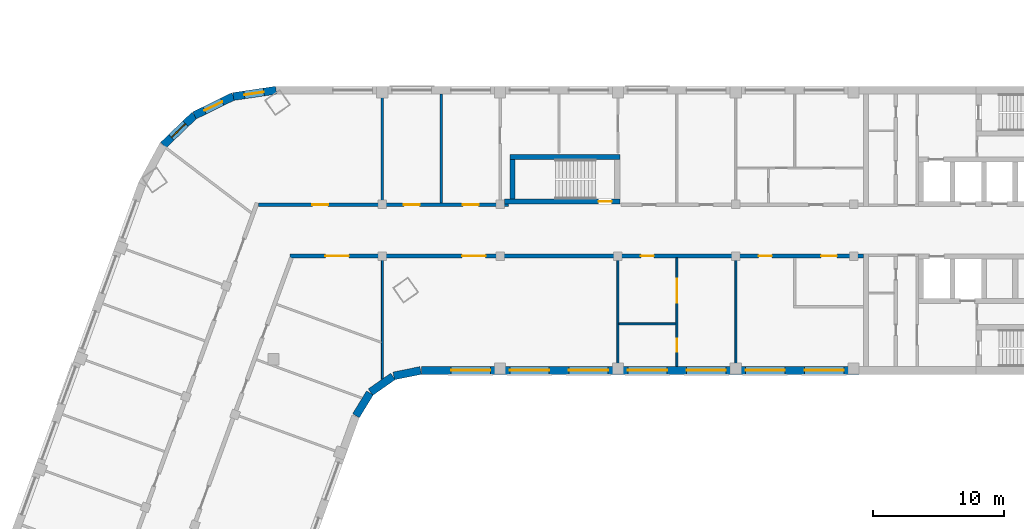
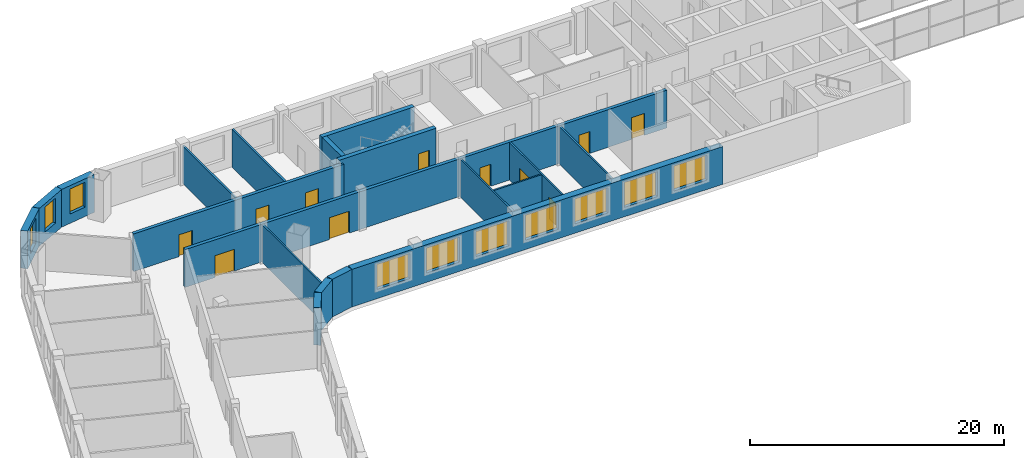
# One storey, part 6 of 11: 19 walls, 11 doors, 10 windows, 21 openings.
"""IFC4 building model written with IfcOpenShell, lengths in metres."""

from ifc_helpers import new_model, si_unit, direction, frame, frame_2d, origin, place, context, subcontext, project, spatial, rectangle, extrude, material, layer, layer_set, type_object, element, fill, save


model = new_model("IFC4")

# Units and contexts
model_context = context("Model", 3, precision=1e-05, world=origin(), true_north=direction((0.0, 1.0)))
body_context = subcontext(model_context, "Body", "Model", "MODEL_VIEW")
ifc_project = project(units=[si_unit("LENGTHUNIT", "METRE"), si_unit("AREAUNIT", "SQUARE_METRE"), si_unit("VOLUMEUNIT", "CUBIC_METRE"), si_unit("PLANEANGLEUNIT", "RADIAN"), si_unit("MASSUNIT", "GRAM", prefix="KILO")], contexts=[model_context])

# Site, building, storey
site_placement = place(None, origin())
site = spatial("IfcSite", under=ifc_project, at=site_placement, CompositionType="ELEMENT")
building_placement = place(site_placement, origin())
building = spatial("IfcBuilding", under=site, at=building_placement, Name="Skarvind Civic Tower", CompositionType="ELEMENT")
storey_placement = place(building_placement, frame((0.0, 0.0, 113.0)))
storey = spatial("IfcBuildingStorey", under=building, at=storey_placement, Name="L26", CompositionType="ELEMENT", Elevation=113.0)

# Walls
ifc_material_1 = material(Name="Acoustic gypsum board on steel studs", Category="steel")
ifc_layer_1 = layer(ifc_material_1, 0.175048828125)
ifc_layer_set_1 = layer_set([ifc_layer_1], Name="ACOUSTIC MEETING-ROOM PARTITION 175")
wall_type_1 = type_object("IfcWallType", Name="ACOUSTIC MEETING-ROOM PARTITION 175", PredefinedType="PARTITIONING", material=ifc_layer_set_1)
for number, where, z_axis, x_axis, name in (
    (1, (54.25, 138.39990234375, 0.0), (0.0, 0.0, 1.0), (0.0, -1.0, 0.0), "Partition 26.017"),
    (2, (58.75, 130.10009765625, 0.0), (0.0, 0.0, 1.0), (0.0, 1.0, 0.0), "Partition 26.018"),
):
    element("IfcWall", number, at=place(storey_placement, frame(where, z_axis=z_axis, x_axis=x_axis)), inside=storey, type_object=wall_type_1, Name=name, PredefinedType="PARTITIONING", context=body_context, shape_type="SweptSolid", body=[
        extrude(rectangle(XDim=8.2998046875, YDim=0.175048828125, at=frame_2d((4.14990234375, 0.0))), origin(), (0.0, 0.0, 1.0), 3.625),
    ])

# Wall, openings, doors
ifc_material_2 = material(Name="Fire-rated gypsum board on steel studs", Category="steel")
ifc_layer_2 = layer(ifc_material_2, 0.300048828125)
ifc_layer_set_2 = layer_set([ifc_layer_2], Name="CORRIDOR WALL 300")
wall_type_2 = type_object("IfcWallType", Name="CORRIDOR WALL 300", PredefinedType="PARTITIONING", material=ifc_layer_set_2)
wall_1_placement = place(storey_placement, frame((44.784912109375, 129.949951171875, 0.0), z_axis=(0.0, 0.0, 1.0), x_axis=(1.0, 0.0, 0.0)))
wall_1 = element("IfcWall", 3, at=wall_1_placement, inside=storey, type_object=wall_type_2, Name="Partition 26.013", PredefinedType="PARTITIONING", context=body_context, shape_type="SweptSolid", body=[
    extrude(rectangle(XDim=19.114990234375, YDim=0.300048828125, at=frame_2d((9.5576171875, 0.0))), origin(), (0.0, 0.0, 1.0), 3.625),
])
opening_1_placement = place(wall_1_placement, frame((15.614990234375, 0.0, 0.0)))
opening_1 = element("IfcOpeningElement", 4, at=opening_1_placement, cuts=wall_1, Name="Opening L26-D009", PredefinedType="OPENING", context=body_context, shape_type="SweptSolid", body=[
    extrude(rectangle(XDim=1.199951171875, YDim=2.10009765625, at=frame_2d((0.60009765625, 1.050048828125))), frame((0.0, 0.159912109375, 0.0), z_axis=(0.0, -1.0, 0.0), x_axis=(1.0, 0.0, 0.0)), (0.0, 0.0, 1.0), 0.320068359375),
])
opening_2_placement = place(wall_1_placement, frame((11.114990234375, 0.0, 0.0)))
opening_2 = element("IfcOpeningElement", 5, at=opening_2_placement, cuts=wall_1, Name="Opening L26-D010", PredefinedType="OPENING", context=body_context, shape_type="SweptSolid", body=[
    extrude(rectangle(XDim=1.199951171875, YDim=2.10009765625, at=frame_2d((0.60009765625, 1.050048828125))), frame((0.0, 0.159912109375, 0.0), z_axis=(0.0, -1.0, 0.0), x_axis=(1.0, 0.0, 0.0)), (0.0, 0.0, 1.0), 0.320068359375),
])
opening_3_placement = place(wall_1_placement, frame((4.12255859375, 0.0, 0.0)))
opening_3 = element("IfcOpeningElement", 6, at=opening_3_placement, cuts=wall_1, Name="Opening L26-D027", PredefinedType="OPENING", context=body_context, shape_type="SweptSolid", body=[
    extrude(rectangle(XDim=1.199951171875, YDim=2.10009765625, at=frame_2d((0.60009765625, 1.050048828125))), frame((0.0, 0.159912109375, 0.0), z_axis=(0.0, -1.0, 0.0), x_axis=(1.0, 0.0, 0.0)), (0.0, 0.0, 1.0), 0.320068359375),
])
ifc_material_3 = material(Name="Fire-rated timber door leaf", Category="wood")
door_type_1 = type_object("IfcDoorType", Name="FD6 1200x2100 DOUBLE", OperationType="NOTDEFINED", PredefinedType="DOOR", material=ifc_material_3)
door_1_placement = place(opening_1_placement, origin())
door_1 = element("IfcDoor", 7, at=door_1_placement, inside=storey, type_object=door_type_1, Name="Door L26-D009", OperationType="DOUBLE_DOOR_SINGLE_SWING", OverallHeight=2.10009765625, OverallWidth=1.199951171875, PredefinedType="DOOR", context=body_context, shape_type="SweptSolid", body=[
    extrude(rectangle(XDim=1.199951171875, YDim=2.10009765625, at=frame_2d((0.60009765625, 1.050048828125))), frame((0.0, 0.02490234375, 0.0), z_axis=(0.0, -1.0, 0.0), x_axis=(1.0, 0.0, 0.0)), (0.0, 0.0, 1.0), 0.050048828125),
])
fill(opening_1, door_1)
door_2_placement = place(opening_2_placement, origin())
door_2 = element("IfcDoor", 8, at=door_2_placement, inside=storey, type_object=door_type_1, Name="Door L26-D010", OperationType="DOUBLE_DOOR_SINGLE_SWING", OverallHeight=2.10009765625, OverallWidth=1.199951171875, PredefinedType="DOOR", context=body_context, shape_type="SweptSolid", body=[
    extrude(rectangle(XDim=1.199951171875, YDim=2.10009765625, at=frame_2d((0.60009765625, 1.050048828125))), frame((0.0, 0.02490234375, 0.0), z_axis=(0.0, -1.0, 0.0), x_axis=(1.0, 0.0, 0.0)), (0.0, 0.0, 1.0), 0.050048828125),
])
fill(opening_2, door_2)
door_3_placement = place(opening_3_placement, origin())
door_3 = element("IfcDoor", 9, at=door_3_placement, inside=storey, type_object=door_type_1, Name="Door L26-D027", OperationType="DOUBLE_DOOR_SINGLE_SWING", OverallHeight=2.10009765625, OverallWidth=1.199951171875, PredefinedType="DOOR", context=body_context, shape_type="SweptSolid", body=[
    extrude(rectangle(XDim=1.199951171875, YDim=2.10009765625, at=frame_2d((0.60009765625, 1.050048828125))), frame((0.0, 0.02490234375, 0.0), z_axis=(0.0, -1.0, 0.0), x_axis=(1.0, 0.0, 0.0)), (0.0, 0.0, 1.0), 0.050048828125),
])
fill(opening_3, door_3)

wall_2_placement = place(storey_placement, frame((91.0, 126.050048828125, 0.0), z_axis=(0.0, 0.0, 1.0), x_axis=(-1.0, 0.0, 0.0)))
wall_2 = element("IfcWall", 10, at=wall_2_placement, inside=storey, type_object=wall_type_2, Name="Partition 26.034", PredefinedType="PARTITIONING", context=body_context, shape_type="SweptSolid", body=[
    extrude(rectangle(XDim=43.784912109375, YDim=0.300048828125, at=frame_2d((21.892578125, 0.0))), origin(), (0.0, 0.0, 1.0), 3.625),
])
opening_4_placement = place(wall_2_placement, frame((2.02490234375, 0.0, 0.0)))
opening_4 = element("IfcOpeningElement", 11, at=opening_4_placement, cuts=wall_2, Name="Opening L26-D011", PredefinedType="OPENING", context=body_context, shape_type="SweptSolid", body=[
    extrude(rectangle(XDim=1.199951171875, YDim=2.10009765625, at=frame_2d((0.60009765625, 1.050048828125))), frame((0.0, 0.159912109375, 0.0), z_axis=(0.0, -1.0, 0.0), x_axis=(1.0, 0.0, 0.0)), (0.0, 0.0, 1.0), 0.320068359375),
])
opening_5_placement = place(wall_2_placement, frame((7.0, 0.0, 0.0)))
opening_5 = element("IfcOpeningElement", 12, at=opening_5_placement, cuts=wall_2, Name="Opening L26-D012", PredefinedType="OPENING", context=body_context, shape_type="SweptSolid", body=[
    extrude(rectangle(XDim=1.0, YDim=2.10009765625, at=frame_2d((0.5, 1.050048828125))), frame((0.0, 0.159912109375, 0.0), z_axis=(0.0, -1.0, 0.0), x_axis=(1.0, 0.0, 0.0)), (0.0, 0.0, 1.0), 0.320068359375),
])
opening_6_placement = place(wall_2_placement, frame((16.0, 0.0, 0.0)))
opening_6 = element("IfcOpeningElement", 13, at=opening_6_placement, cuts=wall_2, Name="Opening L26-D013", PredefinedType="OPENING", context=body_context, shape_type="SweptSolid", body=[
    extrude(rectangle(XDim=1.0, YDim=2.10009765625, at=frame_2d((0.5, 1.050048828125))), frame((0.0, 0.159912109375, 0.0), z_axis=(0.0, -1.0, 0.0), x_axis=(1.0, 0.0, 0.0)), (0.0, 0.0, 1.0), 0.320068359375),
])
opening_7_placement = place(wall_2_placement, frame((28.85009765625, 0.0, 0.0)))
opening_7 = element("IfcOpeningElement", 14, at=opening_7_placement, cuts=wall_2, Name="Opening L26-D016", PredefinedType="OPENING", context=body_context, shape_type="SweptSolid", body=[
    extrude(rectangle(XDim=1.800048828125, YDim=2.10009765625, at=frame_2d((0.89990234375, 1.050048828125))), frame((0.0, 0.159912109375, 0.0), z_axis=(0.0, -1.0, 0.0), x_axis=(1.0, 0.0, 0.0)), (0.0, 0.0, 1.0), 0.320068359375),
])
opening_8_placement = place(wall_2_placement, frame((39.2958984375, 0.0, 0.0)))
opening_8 = element("IfcOpeningElement", 15, at=opening_8_placement, cuts=wall_2, Name="Opening L26-D029", PredefinedType="OPENING", context=body_context, shape_type="SweptSolid", body=[
    extrude(rectangle(XDim=1.800048828125, YDim=2.10009765625, at=frame_2d((0.89990234375, 1.050048828125))), frame((0.0, 0.159912109375, 0.0), z_axis=(0.0, -1.0, 0.0), x_axis=(1.0, 0.0, 0.0)), (0.0, 0.0, 1.0), 0.320068359375),
])
door_type_2 = type_object("IfcDoorType", Name="FD1 1000x2100", OperationType="NOTDEFINED", PredefinedType="DOOR", material=ifc_material_3)
door_4_placement = place(opening_5_placement, origin())
door_4 = element("IfcDoor", 16, at=door_4_placement, inside=storey, type_object=door_type_2, Name="Door L26-D012", OperationType="SINGLE_SWING_RIGHT", OverallHeight=2.10009765625, OverallWidth=1.0, PredefinedType="DOOR", context=body_context, shape_type="SweptSolid", body=[
    extrude(rectangle(XDim=1.0, YDim=2.10009765625, at=frame_2d((0.5, 1.050048828125))), frame((0.0, 0.02490234375, 0.0), z_axis=(0.0, -1.0, 0.0), x_axis=(1.0, 0.0, 0.0)), (0.0, 0.0, 1.0), 0.050048828125),
])
fill(opening_5, door_4)
door_5_placement = place(opening_6_placement, origin())
door_5 = element("IfcDoor", 17, at=door_5_placement, inside=storey, type_object=door_type_2, Name="Door L26-D013", OperationType="SINGLE_SWING_LEFT", OverallHeight=2.10009765625, OverallWidth=1.0, PredefinedType="DOOR", context=body_context, shape_type="SweptSolid", body=[
    extrude(rectangle(XDim=1.0, YDim=2.10009765625, at=frame_2d((0.5, 1.050048828125))), frame((0.0, 0.02490234375, 0.0), z_axis=(0.0, -1.0, 0.0), x_axis=(1.0, 0.0, 0.0)), (0.0, 0.0, 1.0), 0.050048828125),
])
fill(opening_6, door_5)
door_type_3 = type_object("IfcDoorType", Name="FD4 1800x2100", OperationType="NOTDEFINED", PredefinedType="DOOR", material=ifc_material_3)
door_6_placement = place(opening_7_placement, origin())
door_6 = element("IfcDoor", 18, at=door_6_placement, inside=storey, type_object=door_type_3, Name="Door L26-D016", OperationType="DOUBLE_DOOR_SINGLE_SWING", OverallHeight=2.10009765625, OverallWidth=1.800048828125, PredefinedType="DOOR", context=body_context, shape_type="SweptSolid", body=[
    extrude(rectangle(XDim=1.800048828125, YDim=2.10009765625, at=frame_2d((0.89990234375, 1.050048828125))), frame((0.0, 0.02490234375, 0.0), z_axis=(0.0, -1.0, 0.0), x_axis=(1.0, 0.0, 0.0)), (0.0, 0.0, 1.0), 0.050048828125),
])
fill(opening_7, door_6)
door_7_placement = place(opening_8_placement, origin())
door_7 = element("IfcDoor", 19, at=door_7_placement, inside=storey, type_object=door_type_3, Name="Door L26-D029", OperationType="DOUBLE_DOOR_SINGLE_SWING", OverallHeight=2.10009765625, OverallWidth=1.800048828125, PredefinedType="DOOR", context=body_context, shape_type="SweptSolid", body=[
    extrude(rectangle(XDim=1.800048828125, YDim=2.10009765625, at=frame_2d((0.89990234375, 1.050048828125))), frame((0.0, 0.02490234375, 0.0), z_axis=(0.0, -1.0, 0.0), x_axis=(1.0, 0.0, 0.0)), (0.0, 0.0, 1.0), 0.050048828125),
])
fill(opening_8, door_7)
door_8_placement = place(opening_4_placement, origin())
door_8 = element("IfcDoor", 20, at=door_8_placement, inside=storey, type_object=door_type_1, Name="Door L26-D011", OperationType="DOUBLE_DOOR_SINGLE_SWING", OverallHeight=2.10009765625, OverallWidth=1.199951171875, PredefinedType="DOOR", context=body_context, shape_type="SweptSolid", body=[
    extrude(rectangle(XDim=1.199951171875, YDim=2.10009765625, at=frame_2d((0.60009765625, 1.050048828125))), frame((0.0, 0.02490234375, 0.0), z_axis=(0.0, -1.0, 0.0), x_axis=(1.0, 0.0, 0.0)), (0.0, 0.0, 1.0), 0.050048828125),
])
fill(opening_4, door_8)

# Wall, opening, door
ifc_material_4 = material(Name="Concrete C80", Category="concrete")
ifc_layer_3 = layer(ifc_material_4, 0.39990234375)
ifc_layer_set_3 = layer_set([ifc_layer_3], Name="Core wall 400 C80")
wall_type_3 = type_object("IfcWallType", Name="Core wall 400 C80", PredefinedType="SHEAR", material=ifc_layer_set_3)
wall_3_placement = place(storey_placement, frame((63.574951171875, 130.199951171875, 0.0), z_axis=(0.0, 0.0, 1.0), x_axis=(1.0, 0.0, 0.0)))
wall_3 = element("IfcWall", 21, at=wall_3_placement, inside=storey, type_object=wall_type_3, Name="Core wall CM inner L26", PredefinedType="SHEAR", context=body_context, shape_type="SweptSolid", body=[
    extrude(rectangle(XDim=8.824951171875, YDim=0.39990234375, at=frame_2d((4.41259765625, 0.0))), origin(), (0.0, 0.0, 1.0), 4.0),
])
opening_9_placement = place(wall_3_placement, frame((7.199951171875, 0.0, 0.0)))
opening_9 = element("IfcOpeningElement", 22, at=opening_9_placement, cuts=wall_3, Name="Opening D-L26-CM-01", PredefinedType="OPENING", context=body_context, shape_type="SweptSolid", body=[
    extrude(rectangle(XDim=1.0, YDim=2.10009765625, at=frame_2d((0.5, 1.050048828125))), frame((0.0, 0.2099609375, 0.0), z_axis=(0.0, -1.0, 0.0), x_axis=(1.0, 0.0, 0.0)), (0.0, 0.0, 1.0), 0.419921875),
])
ifc_material_5 = material(Name="Fire-rated steel door", Category="steel")
door_type_4 = type_object("IfcDoorType", Name="Fire door 1000", OperationType="NOTDEFINED", PredefinedType="DOOR", material=ifc_material_5)
door_9_placement = place(opening_9_placement, origin())
door_9 = element("IfcDoor", 23, at=door_9_placement, inside=storey, type_object=door_type_4, Name="Fire door", OperationType="SINGLE_SWING_LEFT", OverallHeight=2.10009765625, OverallWidth=1.0, PredefinedType="DOOR", context=body_context, shape_type="SweptSolid", body=[
    extrude(rectangle(XDim=1.0, YDim=2.10009765625, at=frame_2d((0.5, 1.050048828125))), frame((0.0, 0.02490234375, 0.0), z_axis=(0.0, -1.0, 0.0), x_axis=(1.0, 0.0, 0.0)), (0.0, 0.0, 1.0), 0.050048828125),
])
fill(opening_9, door_9)

# Walls
wall_4_placement = place(storey_placement, frame((64.0, 133.60009765625, 0.0), z_axis=(0.0, 0.0, 1.0), x_axis=(1.0, 0.0, 0.0)))
element("IfcWall", 24, at=wall_4_placement, inside=storey, type_object=wall_type_3, Name="Core wall CM outer L26", PredefinedType="SHEAR", context=body_context, shape_type="SweptSolid", body=[
    extrude(rectangle(XDim=8.39990234375, YDim=0.39990234375, at=frame_2d((4.199951171875, 0.0))), origin(), (0.0, 0.0, 1.0), 4.0),
])
wall_5_placement = place(storey_placement, frame((64.199951171875, 130.39990234375, 0.0), z_axis=(0.0, 0.0, 1.0), x_axis=(0.0, 1.0, 0.0)))
element("IfcWall", 25, at=wall_5_placement, inside=storey, type_object=wall_type_3, Name="Core wall CM west L26", PredefinedType="SHEAR", context=body_context, shape_type="SweptSolid", body=[
    extrude(rectangle(XDim=3.0, YDim=0.39990234375, at=frame_2d((1.5, 0.0))), origin(), (0.0, 0.0, 1.0), 4.0),
])
ifc_material_6 = material(Name="Plasterboard partition on steel studs", Category="steel")
ifc_layer_4 = layer(ifc_material_6, 0.14990234375)
ifc_layer_set_4 = layer_set([ifc_layer_4], Name="PARTITION 150")
wall_type_4 = type_object("IfcWallType", Name="PARTITION 150", PredefinedType="PARTITIONING", material=ifc_layer_set_4)
wall_6_placement = place(storey_placement, frame((54.25, 116.636962890625, 0.0), z_axis=(0.0, 0.0, 1.0), x_axis=(0.0, 1.0, 0.0)))
element("IfcWall", 26, at=wall_6_placement, inside=storey, type_object=wall_type_4, Name="Partition 26.015", PredefinedType="PARTITIONING", context=body_context, shape_type="SweptSolid", body=[
    extrude(rectangle(XDim=9.262939453125, YDim=0.14990234375, at=frame_2d((4.63134765625, 0.0))), origin(), (0.0, 0.0, 1.0), 3.625),
])
wall_7_placement = place(storey_placement, frame((72.25, 117.60009765625, 0.0), z_axis=(0.0, 0.0, 1.0), x_axis=(0.0, 1.0, 0.0)))
element("IfcWall", 27, at=wall_7_placement, inside=storey, type_object=wall_type_4, Name="Partition 26.021", PredefinedType="PARTITIONING", context=body_context, shape_type="SweptSolid", body=[
    extrude(rectangle(XDim=8.2998046875, YDim=0.14990234375, at=frame_2d((4.14990234375, 0.0))), origin(), (0.0, 0.0, 1.0), 3.625),
])
wall_8_placement = place(storey_placement, frame((72.324951171875, 120.85009765625, 0.0), z_axis=(0.0, 0.0, 1.0), x_axis=(1.0, 0.0, 0.0)))
element("IfcWall", 28, at=wall_8_placement, inside=storey, type_object=wall_type_4, Name="Partition 26.022", PredefinedType="PARTITIONING", context=body_context, shape_type="SweptSolid", body=[
    extrude(rectangle(XDim=4.35009765625, YDim=0.14990234375, at=frame_2d((2.175048828125, 0.0))), origin(), (0.0, 0.0, 1.0), 3.625),
])

# Wall, openings, doors
wall_9_placement = place(storey_placement, frame((76.75, 117.60009765625, 0.0), z_axis=(0.0, 0.0, 1.0), x_axis=(0.0, 1.0, 0.0)))
wall_9 = element("IfcWall", 29, at=wall_9_placement, inside=storey, type_object=wall_type_4, Name="Partition 26.025", PredefinedType="PARTITIONING", context=body_context, shape_type="SweptSolid", body=[
    extrude(rectangle(XDim=8.2998046875, YDim=0.14990234375, at=frame_2d((4.14990234375, 0.0))), origin(), (0.0, 0.0, 1.0), 3.625),
])
opening_10_placement = place(wall_9_placement, frame((1.125, 0.0, 0.0)))
opening_10 = element("IfcOpeningElement", 30, at=opening_10_placement, cuts=wall_9, Name="Opening L26-D014", PredefinedType="OPENING", context=body_context, shape_type="SweptSolid", body=[
    extrude(rectangle(XDim=1.0, YDim=2.10009765625, at=frame_2d((0.5, 1.050048828125))), frame((0.0, 0.0849609375, 0.0), z_axis=(0.0, -1.0, 0.0), x_axis=(1.0, 0.0, 0.0)), (0.0, 0.0, 1.0), 0.169921875),
])
opening_11_placement = place(wall_9_placement, frame((4.883544921875, 0.0, 0.0)))
opening_11 = element("IfcOpeningElement", 31, at=opening_11_placement, cuts=wall_9, Name="Opening L26-D015", PredefinedType="OPENING", context=body_context, shape_type="SweptSolid", body=[
    extrude(rectangle(XDim=1.800048828125, YDim=2.10009765625, at=frame_2d((0.89990234375, 1.050048828125))), frame((0.0, 0.0849609375, 0.0), z_axis=(0.0, -1.0, 0.0), x_axis=(1.0, 0.0, 0.0)), (0.0, 0.0, 1.0), 0.169921875),
])
ifc_material_7 = material(Name="Timber door leaf", Category="wood")
door_type_5 = type_object("IfcDoorType", Name="D1 1000x2100", OperationType="NOTDEFINED", PredefinedType="DOOR", material=ifc_material_7)
door_10_placement = place(opening_10_placement, origin())
door_10 = element("IfcDoor", 32, at=door_10_placement, inside=storey, type_object=door_type_5, Name="Door L26-D014", OperationType="SINGLE_SWING_RIGHT", OverallHeight=2.10009765625, OverallWidth=1.0, PredefinedType="DOOR", context=body_context, shape_type="SweptSolid", body=[
    extrude(rectangle(XDim=1.0, YDim=2.10009765625, at=frame_2d((0.5, 1.050048828125))), frame((0.0, 0.02490234375, 0.0), z_axis=(0.0, -1.0, 0.0), x_axis=(1.0, 0.0, 0.0)), (0.0, 0.0, 1.0), 0.050048828125),
])
fill(opening_10, door_10)
door_type_6 = type_object("IfcDoorType", Name="D4 1800x2100", OperationType="NOTDEFINED", PredefinedType="DOOR", material=ifc_material_7)
door_11_placement = place(opening_11_placement, origin())
door_11 = element("IfcDoor", 33, at=door_11_placement, inside=storey, type_object=door_type_6, Name="Door L26-D015", OperationType="DOUBLE_DOOR_SINGLE_SWING", OverallHeight=2.10009765625, OverallWidth=1.800048828125, PredefinedType="DOOR", context=body_context, shape_type="SweptSolid", body=[
    extrude(rectangle(XDim=1.800048828125, YDim=2.10009765625, at=frame_2d((0.89990234375, 1.050048828125))), frame((0.0, 0.02490234375, 0.0), z_axis=(0.0, -1.0, 0.0), x_axis=(1.0, 0.0, 0.0)), (0.0, 0.0, 1.0), 0.050048828125),
])
fill(opening_11, door_11)

# Walls
wall_10_placement = place(storey_placement, frame((81.25, 117.60009765625, 0.0), z_axis=(0.0, 0.0, 1.0), x_axis=(0.0, 1.0, 0.0)))
element("IfcWall", 34, at=wall_10_placement, inside=storey, type_object=wall_type_4, Name="Partition 26.027", PredefinedType="PARTITIONING", context=body_context, shape_type="SweptSolid", body=[
    extrude(rectangle(XDim=8.2998046875, YDim=0.14990234375, at=frame_2d((4.14990234375, 0.0))), origin(), (0.0, 0.0, 1.0), 3.625),
])
ifc_material_8 = material(Name="Limestone masonry cladding on insulated backing", Category="masonry")
ifc_layer_5 = layer(ifc_material_8, 0.60009765625)
ifc_layer_set_5 = layer_set([ifc_layer_5], Name="WX1 STONE FACADE WALL 600")
wall_type_5 = type_object("IfcWallType", Name="WX1 STONE FACADE WALL 600", PredefinedType="SOLIDWALL", material=ifc_layer_set_5)
wall_11_placement = place(storey_placement, frame((53.30517578125, 115.578369140625, 0.0), z_axis=(0.0, 0.0, 1.0), x_axis=(-0.522402266438, -0.852699168535, 0.0)))
element("IfcWall", 35, at=wall_11_placement, inside=storey, type_object=wall_type_5, Name="STONE FACADE WALL", PredefinedType="SOLIDWALL", context=body_context, shape_type="SweptSolid", body=[
    extrude(rectangle(XDim=2.042236328125, YDim=0.60009765625, at=frame_2d((1.02099609375, 0.0))), origin(), (0.0, 0.0, 1.0), 3.625),
])
for number, where, z_axis, x_axis, name in (
    (36, (55.061767578125, 116.8388671875, 0.0), (0.0, 0.0, 1.0), (-0.819122269495, -0.573618956815, 0.0), "STONE FACADE WALL"),
    (37, (57.17529296875, 117.2939453125, 0.0), (0.0, 0.0, 1.0), (-0.97996099083, -0.19918949885, 0.0), "STONE FACADE WALL"),
):
    element("IfcWall", number, at=place(storey_placement, frame(where, z_axis=z_axis, x_axis=x_axis)), inside=storey, type_object=wall_type_5, Name=name, PredefinedType="SOLIDWALL", context=body_context, shape_type="SweptSolid", body=[
        extrude(rectangle(XDim=2.09228515625, YDim=0.60009765625, at=frame_2d((1.046142578125, 0.0))), origin(), (0.0, 0.0, 1.0), 3.625),
    ])

# Wall, openings, windows
wall_12_placement = place(storey_placement, frame((90.97998046875, 117.300048828125, 0.0), z_axis=(0.0, 0.0, 1.0), x_axis=(-1.0, 0.0, 0.0)))
wall_12 = element("IfcWall", 38, at=wall_12_placement, inside=storey, type_object=wall_type_5, Name="STONE FACADE WALL", PredefinedType="SOLIDWALL", context=body_context, shape_type="SweptSolid", body=[
    extrude(rectangle(XDim=33.744873046875, YDim=0.60009765625, at=frame_2d((16.87255859375, 0.0))), origin(), (0.0, 0.0, 1.0), 3.625),
])
opening_12_placement = place(wall_12_placement, frame((1.47998046875, 0.0, 0.89990234375)))
opening_12 = element("IfcOpeningElement", 39, at=opening_12_placement, cuts=wall_12, Name="Opening WN1", PredefinedType="OPENING", context=body_context, shape_type="SweptSolid", body=[
    extrude(rectangle(XDim=3.0, YDim=2.39990234375, at=frame_2d((1.5, 1.199951171875))), frame((0.0, 0.31005859375, 0.0), z_axis=(0.0, -1.0, 0.0), x_axis=(1.0, 0.0, 0.0)), (0.0, 0.0, 1.0), 0.6201171875),
])
opening_13_placement = place(wall_12_placement, frame((5.97998046875, 0.0, 0.89990234375)))
opening_13 = element("IfcOpeningElement", 40, at=opening_13_placement, cuts=wall_12, Name="Opening WN1", PredefinedType="OPENING", context=body_context, shape_type="SweptSolid", body=[
    extrude(rectangle(XDim=3.0, YDim=2.39990234375, at=frame_2d((1.5, 1.199951171875))), frame((0.0, 0.31005859375, 0.0), z_axis=(0.0, -1.0, 0.0), x_axis=(1.0, 0.0, 0.0)), (0.0, 0.0, 1.0), 0.6201171875),
])
opening_14_placement = place(wall_12_placement, frame((10.47998046875, 0.0, 0.89990234375)))
opening_14 = element("IfcOpeningElement", 41, at=opening_14_placement, cuts=wall_12, Name="Opening WN1", PredefinedType="OPENING", context=body_context, shape_type="SweptSolid", body=[
    extrude(rectangle(XDim=3.0, YDim=2.39990234375, at=frame_2d((1.5, 1.199951171875))), frame((0.0, 0.31005859375, 0.0), z_axis=(0.0, -1.0, 0.0), x_axis=(1.0, 0.0, 0.0)), (0.0, 0.0, 1.0), 0.6201171875),
])
opening_15_placement = place(wall_12_placement, frame((14.97998046875, 0.0, 0.89990234375)))
opening_15 = element("IfcOpeningElement", 42, at=opening_15_placement, cuts=wall_12, Name="Opening WN1", PredefinedType="OPENING", context=body_context, shape_type="SweptSolid", body=[
    extrude(rectangle(XDim=3.0, YDim=2.39990234375, at=frame_2d((1.5, 1.199951171875))), frame((0.0, 0.31005859375, 0.0), z_axis=(0.0, -1.0, 0.0), x_axis=(1.0, 0.0, 0.0)), (0.0, 0.0, 1.0), 0.6201171875),
])
opening_16_placement = place(wall_12_placement, frame((19.47998046875, 0.0, 0.89990234375)))
opening_16 = element("IfcOpeningElement", 43, at=opening_16_placement, cuts=wall_12, Name="Opening WN1", PredefinedType="OPENING", context=body_context, shape_type="SweptSolid", body=[
    extrude(rectangle(XDim=3.0, YDim=2.39990234375, at=frame_2d((1.5, 1.199951171875))), frame((0.0, 0.31005859375, 0.0), z_axis=(0.0, -1.0, 0.0), x_axis=(1.0, 0.0, 0.0)), (0.0, 0.0, 1.0), 0.6201171875),
])
opening_17_placement = place(wall_12_placement, frame((23.97998046875, 0.0, 0.89990234375)))
opening_17 = element("IfcOpeningElement", 44, at=opening_17_placement, cuts=wall_12, Name="Opening WN1", PredefinedType="OPENING", context=body_context, shape_type="SweptSolid", body=[
    extrude(rectangle(XDim=3.0, YDim=2.39990234375, at=frame_2d((1.5, 1.199951171875))), frame((0.0, 0.31005859375, 0.0), z_axis=(0.0, -1.0, 0.0), x_axis=(1.0, 0.0, 0.0)), (0.0, 0.0, 1.0), 0.6201171875),
])
opening_18_placement = place(wall_12_placement, frame((28.47998046875, 0.0, 0.89990234375)))
opening_18 = element("IfcOpeningElement", 45, at=opening_18_placement, cuts=wall_12, Name="Opening WN1", PredefinedType="OPENING", context=body_context, shape_type="SweptSolid", body=[
    extrude(rectangle(XDim=3.0, YDim=2.39990234375, at=frame_2d((1.5, 1.199951171875))), frame((0.0, 0.31005859375, 0.0), z_axis=(0.0, -1.0, 0.0), x_axis=(1.0, 0.0, 0.0)), (0.0, 0.0, 1.0), 0.6201171875),
])
ifc_material_9 = material(Name="Timber frame, double glazing, timber-lined reveal", Category="wood")
window_type_1 = type_object("IfcWindowType", Name="WN1 PUNCHED STONE WINDOW 3000 x 2400", PartitioningType="SINGLE_PANEL", PredefinedType="WINDOW", material=ifc_material_9)
window_1_placement = place(opening_12_placement, origin())
window_1 = element("IfcWindow", 46, at=window_1_placement, inside=storey, type_object=window_type_1, Name="WN1 WINDOW", OverallHeight=2.39990234375, OverallWidth=3.0, PartitioningType="SINGLE_PANEL", PredefinedType="WINDOW", context=body_context, shape_type="SweptSolid", body=[
    extrude(rectangle(XDim=3.0, YDim=2.39990234375, at=frame_2d((1.5, 1.199951171875))), frame((0.0, 0.030029296875, 0.0), z_axis=(0.0, -1.0, 0.0), x_axis=(1.0, 0.0, 0.0)), (0.0, 0.0, 1.0), 0.06005859375),
])
fill(opening_12, window_1)
window_2_placement = place(opening_13_placement, origin())
window_2 = element("IfcWindow", 47, at=window_2_placement, inside=storey, type_object=window_type_1, Name="WN1 WINDOW", OverallHeight=2.39990234375, OverallWidth=3.0, PartitioningType="SINGLE_PANEL", PredefinedType="WINDOW", context=body_context, shape_type="SweptSolid", body=[
    extrude(rectangle(XDim=3.0, YDim=2.39990234375, at=frame_2d((1.5, 1.199951171875))), frame((0.0, 0.030029296875, 0.0), z_axis=(0.0, -1.0, 0.0), x_axis=(1.0, 0.0, 0.0)), (0.0, 0.0, 1.0), 0.06005859375),
])
fill(opening_13, window_2)
window_3_placement = place(opening_14_placement, origin())
window_3 = element("IfcWindow", 48, at=window_3_placement, inside=storey, type_object=window_type_1, Name="WN1 WINDOW", OverallHeight=2.39990234375, OverallWidth=3.0, PartitioningType="SINGLE_PANEL", PredefinedType="WINDOW", context=body_context, shape_type="SweptSolid", body=[
    extrude(rectangle(XDim=3.0, YDim=2.39990234375, at=frame_2d((1.5, 1.199951171875))), frame((0.0, 0.030029296875, 0.0), z_axis=(0.0, -1.0, 0.0), x_axis=(1.0, 0.0, 0.0)), (0.0, 0.0, 1.0), 0.06005859375),
])
fill(opening_14, window_3)
window_4_placement = place(opening_15_placement, origin())
window_4 = element("IfcWindow", 49, at=window_4_placement, inside=storey, type_object=window_type_1, Name="WN1 WINDOW", OverallHeight=2.39990234375, OverallWidth=3.0, PartitioningType="SINGLE_PANEL", PredefinedType="WINDOW", context=body_context, shape_type="SweptSolid", body=[
    extrude(rectangle(XDim=3.0, YDim=2.39990234375, at=frame_2d((1.5, 1.199951171875))), frame((0.0, 0.030029296875, 0.0), z_axis=(0.0, -1.0, 0.0), x_axis=(1.0, 0.0, 0.0)), (0.0, 0.0, 1.0), 0.06005859375),
])
fill(opening_15, window_4)
window_5_placement = place(opening_16_placement, origin())
window_5 = element("IfcWindow", 50, at=window_5_placement, inside=storey, type_object=window_type_1, Name="WN1 WINDOW", OverallHeight=2.39990234375, OverallWidth=3.0, PartitioningType="SINGLE_PANEL", PredefinedType="WINDOW", context=body_context, shape_type="SweptSolid", body=[
    extrude(rectangle(XDim=3.0, YDim=2.39990234375, at=frame_2d((1.5, 1.199951171875))), frame((0.0, 0.030029296875, 0.0), z_axis=(0.0, -1.0, 0.0), x_axis=(1.0, 0.0, 0.0)), (0.0, 0.0, 1.0), 0.06005859375),
])
fill(opening_16, window_5)
window_6_placement = place(opening_17_placement, origin())
window_6 = element("IfcWindow", 51, at=window_6_placement, inside=storey, type_object=window_type_1, Name="WN1 WINDOW", OverallHeight=2.39990234375, OverallWidth=3.0, PartitioningType="SINGLE_PANEL", PredefinedType="WINDOW", context=body_context, shape_type="SweptSolid", body=[
    extrude(rectangle(XDim=3.0, YDim=2.39990234375, at=frame_2d((1.5, 1.199951171875))), frame((0.0, 0.030029296875, 0.0), z_axis=(0.0, -1.0, 0.0), x_axis=(1.0, 0.0, 0.0)), (0.0, 0.0, 1.0), 0.06005859375),
])
fill(opening_17, window_6)
window_7_placement = place(opening_18_placement, origin())
window_7 = element("IfcWindow", 52, at=window_7_placement, inside=storey, type_object=window_type_1, Name="WN1 WINDOW", OverallHeight=2.39990234375, OverallWidth=3.0, PartitioningType="SINGLE_PANEL", PredefinedType="WINDOW", context=body_context, shape_type="SweptSolid", body=[
    extrude(rectangle(XDim=3.0, YDim=2.39990234375, at=frame_2d((1.5, 1.199951171875))), frame((0.0, 0.030029296875, 0.0), z_axis=(0.0, -1.0, 0.0), x_axis=(1.0, 0.0, 0.0)), (0.0, 0.0, 1.0), 0.06005859375),
])
fill(opening_18, window_7)

# Wall, opening, window
wall_13_placement = place(storey_placement, frame((42.872802734375, 138.21728515625, 0.0), z_axis=(0.0, 0.0, 1.0), x_axis=(0.989110792192, 0.14717282619, 0.0)))
wall_13 = element("IfcWall", 53, at=wall_13_placement, inside=storey, type_object=wall_type_5, Name="STONE FACADE WALL", PredefinedType="SOLIDWALL", context=body_context, shape_type="SweptSolid", body=[
    extrude(rectangle(XDim=3.302734375, YDim=0.60009765625, at=frame_2d((1.6513671875, 0.0))), origin(), (0.0, 0.0, 1.0), 3.625),
])
opening_19_placement = place(wall_13_placement, frame((0.8564453125, 0.0, 0.89990234375)))
opening_19 = element("IfcOpeningElement", 54, at=opening_19_placement, cuts=wall_13, Name="Opening WN8", PredefinedType="OPENING", context=body_context, shape_type="SweptSolid", body=[
    extrude(rectangle(XDim=1.5, YDim=2.39990234375, at=frame_2d((0.75, 1.199951171875))), frame((0.0, 0.31005859375, 0.0), z_axis=(0.0, -1.0, 0.0), x_axis=(1.0, 0.0, 0.0)), (0.0, 0.0, 1.0), 0.6201171875),
])
window_type_2 = type_object("IfcWindowType", Name="WN8 ARC BAY WINDOW 1500 x 2400", PartitioningType="SINGLE_PANEL", PredefinedType="WINDOW", material=ifc_material_9)
window_8_placement = place(opening_19_placement, origin())
window_8 = element("IfcWindow", 55, at=window_8_placement, inside=storey, type_object=window_type_2, Name="WN8 WINDOW", OverallHeight=2.39990234375, OverallWidth=1.5, PartitioningType="SINGLE_PANEL", PredefinedType="WINDOW", context=body_context, shape_type="SweptSolid", body=[
    extrude(rectangle(XDim=1.5, YDim=2.39990234375, at=frame_2d((0.75, 1.199951171875))), frame((0.0, 0.030029296875, 0.0), z_axis=(0.0, -1.0, 0.0), x_axis=(1.0, 0.0, 0.0)), (0.0, 0.0, 1.0), 0.06005859375),
])
fill(opening_19, window_8)

wall_14_placement = place(storey_placement, frame((39.9072265625, 136.77587890625, 0.0), z_axis=(0.0, 0.0, 1.0), x_axis=(0.89761231107, 0.440785819889, 0.0)))
wall_14 = element("IfcWall", 56, at=wall_14_placement, inside=storey, type_object=wall_type_5, Name="STONE FACADE WALL", PredefinedType="SOLIDWALL", context=body_context, shape_type="SweptSolid", body=[
    extrude(rectangle(XDim=3.302734375, YDim=0.60009765625, at=frame_2d((1.6513671875, 0.0))), origin(), (0.0, 0.0, 1.0), 3.625),
])
opening_20_placement = place(wall_14_placement, frame((0.8564453125, 0.0, 0.89990234375)))
opening_20 = element("IfcOpeningElement", 57, at=opening_20_placement, cuts=wall_14, Name="Opening WN8", PredefinedType="OPENING", context=body_context, shape_type="SweptSolid", body=[
    extrude(rectangle(XDim=1.5, YDim=2.39990234375, at=frame_2d((0.75, 1.199951171875))), frame((0.0, 0.31005859375, 0.0), z_axis=(0.0, -1.0, 0.0), x_axis=(1.0, 0.0, 0.0)), (0.0, 0.0, 1.0), 0.6201171875),
])
window_9_placement = place(opening_20_placement, origin())
window_9 = element("IfcWindow", 58, at=window_9_placement, inside=storey, type_object=window_type_2, Name="WN8 WINDOW", OverallHeight=2.39990234375, OverallWidth=1.5, PartitioningType="SINGLE_PANEL", PredefinedType="WINDOW", context=body_context, shape_type="SweptSolid", body=[
    extrude(rectangle(XDim=1.5, YDim=2.39990234375, at=frame_2d((0.75, 1.199951171875))), frame((0.0, 0.030029296875, 0.0), z_axis=(0.0, -1.0, 0.0), x_axis=(1.0, 0.0, 0.0)), (0.0, 0.0, 1.0), 0.06005859375),
])
fill(opening_20, window_9)

wall_15_placement = place(storey_placement, frame((37.520263671875, 134.501220703125, 0.0), z_axis=(0.0, 0.0, 1.0), x_axis=(0.72115684486, 0.692771827596, 0.0)))
wall_15 = element("IfcWall", 59, at=wall_15_placement, inside=storey, type_object=wall_type_5, Name="STONE FACADE WALL", PredefinedType="SOLIDWALL", context=body_context, shape_type="SweptSolid", body=[
    extrude(rectangle(XDim=3.302734375, YDim=0.60009765625, at=frame_2d((1.6513671875, 0.0))), origin(), (0.0, 0.0, 1.0), 3.625),
])
opening_21_placement = place(wall_15_placement, frame((0.8564453125, 0.0, 0.89990234375)))
opening_21 = element("IfcOpeningElement", 60, at=opening_21_placement, cuts=wall_15, Name="Opening WN8", PredefinedType="OPENING", context=body_context, shape_type="SweptSolid", body=[
    extrude(rectangle(XDim=1.5, YDim=2.39990234375, at=frame_2d((0.75, 1.199951171875))), frame((0.0, 0.31005859375, 0.0), z_axis=(0.0, -1.0, 0.0), x_axis=(1.0, 0.0, 0.0)), (0.0, 0.0, 1.0), 0.6201171875),
])
window_10_placement = place(opening_21_placement, origin())
window_10 = element("IfcWindow", 61, at=window_10_placement, inside=storey, type_object=window_type_2, Name="WN8 WINDOW", OverallHeight=2.39990234375, OverallWidth=1.5, PartitioningType="SINGLE_PANEL", PredefinedType="WINDOW", context=body_context, shape_type="SweptSolid", body=[
    extrude(rectangle(XDim=1.5, YDim=2.39990234375, at=frame_2d((0.75, 1.199951171875))), frame((0.0, 0.030029296875, 0.0), z_axis=(0.0, -1.0, 0.0), x_axis=(1.0, 0.0, 0.0)), (0.0, 0.0, 1.0), 0.06005859375),
])
fill(opening_21, window_10)

save(model, "model.ifc")
